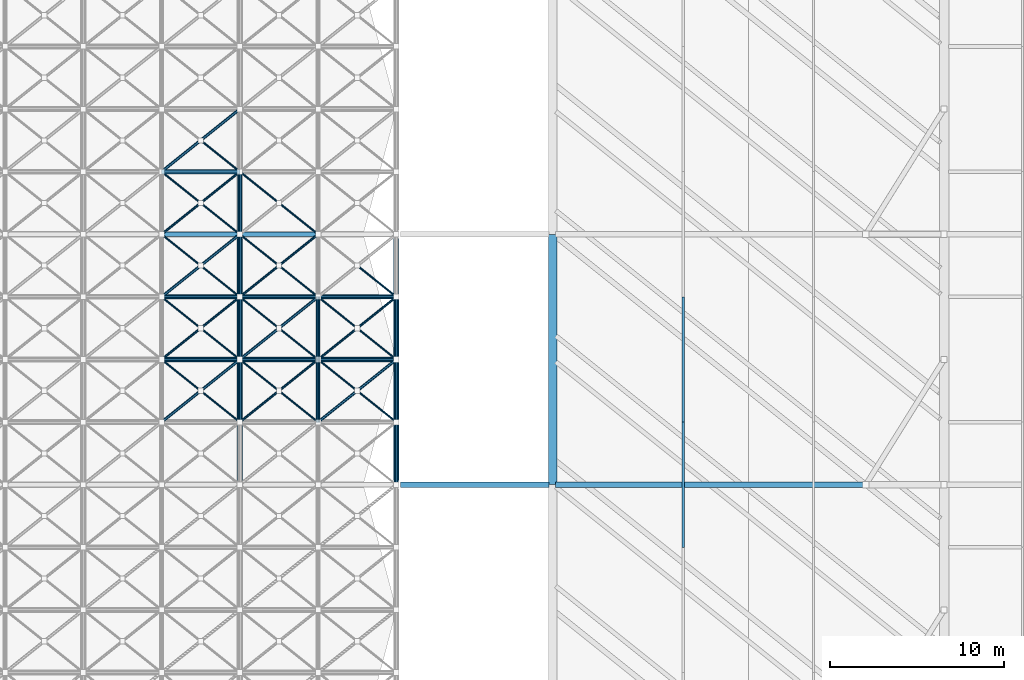
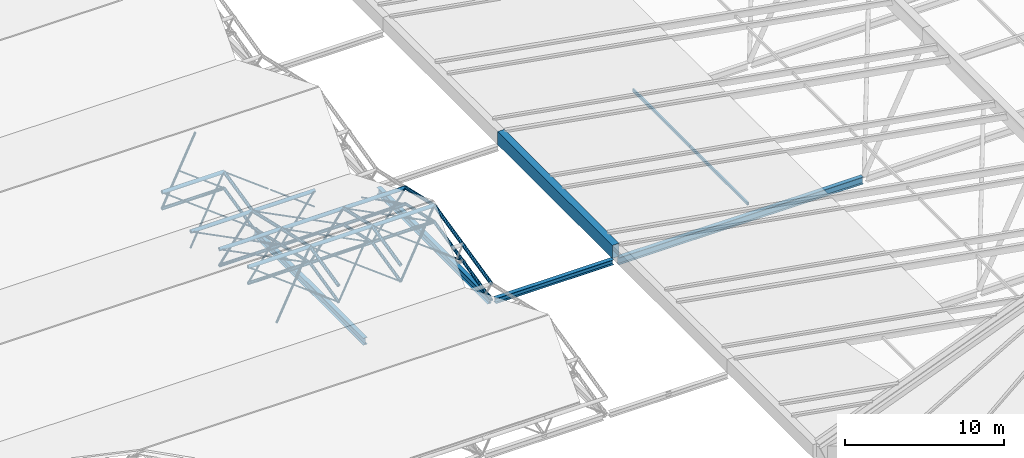
# One storey, part 19 of 110: 68 members, 5 beams.
"""IFC4 building model written with IfcOpenShell, lengths in metres."""

from ifc_helpers import new_model, si_unit, direction, frame, origin, origin_2d, place, context, subcontext, project, spatial, hollow_rectangle, hollow_circle, i_section, extrude, material, material_profile, profile_set, type_object, element, save


model = new_model("IFC4")

# Units and contexts
model_context = context("Model", 3, precision=1e-05, world=origin(), true_north=direction((0.0, 1.0)))
body_context = subcontext(model_context, "Body", "Model", "MODEL_VIEW")
ifc_project = project(units=[si_unit("LENGTHUNIT", "METRE"), si_unit("AREAUNIT", "SQUARE_METRE"), si_unit("VOLUMEUNIT", "CUBIC_METRE"), si_unit("PLANEANGLEUNIT", "RADIAN"), si_unit("MASSUNIT", "GRAM", prefix="KILO")], contexts=[model_context])

# Site, building, storey
site_placement = place(None, origin())
site = spatial("IfcSite", under=ifc_project, at=site_placement, CompositionType="ELEMENT")
building_placement = place(site_placement, origin())
building = spatial("IfcBuilding", under=site, at=building_placement, Name="Tamarisk Ironworks Central Station", CompositionType="ELEMENT")
storey_placement = place(building_placement, frame((0.0, 0.0, 17.39990234375)))
storey = spatial("IfcBuildingStorey", under=building, at=storey_placement, Name="L03", CompositionType="ELEMENT", Elevation=17.39990234375)

# Beams
ifc_material_1 = material(Name="Painted structural steel S355J2", Category="steel")
ifc_material_profile_1 = material_profile(ifc_material_1, hollow_rectangle(XDim=0.5, YDim=1.0, WallThickness=0.02197265625, at=origin_2d()), Name="BOX 500x1000x22")
ifc_profile_set_1 = profile_set([ifc_material_profile_1], Name="Painted structural steel S355J2")
beam_type_1 = type_object("IfcBeamType", Name="BM-EG01", PredefinedType="USERDEFINED", material=ifc_profile_set_1)
beam_1_placement = place(storey_placement, frame((54.0, 36.0, -1.099853515625), z_axis=(0.0, 1.0, 0.0), x_axis=(-1.0, 0.0, 0.0)))
element("IfcBeam", 1, at=beam_1_placement, inside=storey, type_object=beam_type_1, Name="Concourse straight white eave girder W-003", ObjectType="TRANSFER GIRDER", PredefinedType="USERDEFINED", context=body_context, shape_type="SweptSolid", body=[
    extrude(hollow_rectangle(XDim=0.5, YDim=1.0, WallThickness=0.02197265625, at=origin_2d()), origin(), (0.0, 0.0, 1.0), 14.39990234375),
])
ifc_material_2 = material(Name="Structural steel S355J2", Category="steel")
ifc_material_profile_2 = material_profile(ifc_material_2, i_section(OverallWidth=0.300048828125, OverallDepth=0.5400390625, WebThickness=0.012451171875, FlangeThickness=0.02392578125, at=origin_2d()), Name="HEA 550")
ifc_profile_set_2 = profile_set([ifc_material_profile_2], Name="Structural steel S355J2")
beam_type_2 = type_object("IfcBeamType", Name="BM-G04", PredefinedType="BEAM", material=ifc_profile_set_2)
beam_2_placement = place(storey_placement, frame((36.0, 36.241943359375, -1.869873046875), z_axis=(0.0, 1.0, 0.0), x_axis=(-1.0, 0.0, 0.0)))
element("IfcBeam", 2, at=beam_2_placement, inside=storey, type_object=beam_type_2, Name="L03 primary girder Y-0599", PredefinedType="BEAM", context=body_context, shape_type="SweptSolid", body=[
    extrude(i_section(OverallWidth=0.300048828125, OverallDepth=0.5400390625, WebThickness=0.012451171875, FlangeThickness=0.02392578125, at=origin_2d()), origin(), (0.0, 0.0, 1.0), 13.916015625),
])
beam_3_placement = place(storey_placement, frame((45.0, 36.238037109375, -1.869873046875), z_axis=(0.0, 1.0, 0.0), x_axis=(-1.0, 0.0, 0.0)))
element("IfcBeam", 3, at=beam_3_placement, inside=storey, type_object=beam_type_2, Name="L03 primary girder Y-0603", PredefinedType="BEAM", context=body_context, shape_type="SweptSolid", body=[
    extrude(i_section(OverallWidth=0.300048828125, OverallDepth=0.5400390625, WebThickness=0.012451171875, FlangeThickness=0.02392578125, at=origin_2d()), origin(), (0.0, 0.0, 1.0), 13.924072265625),
])
beam_4_placement = place(storey_placement, frame((54.139892578125, 36.0, -1.869873046875), z_axis=(1.0, 0.0, 0.0), x_axis=(0.0, 1.0, 0.0)))
element("IfcBeam", 4, at=beam_4_placement, inside=storey, type_object=beam_type_2, Name="Concourse roof portal tie girder 023", PredefinedType="BEAM", context=body_context, shape_type="SweptSolid", body=[
    extrude(i_section(OverallWidth=0.300048828125, OverallDepth=0.5400390625, WebThickness=0.012451171875, FlangeThickness=0.02392578125, at=origin_2d()), origin(), (0.0, 0.0, 1.0), 17.72021484375),
])
ifc_material_profile_3 = material_profile(ifc_material_2, i_section(OverallWidth=0.300048828125, OverallDepth=0.389892578125, WebThickness=0.010986328125, FlangeThickness=0.01904296875, at=origin_2d()), Name="HEA 400")
ifc_profile_set_3 = profile_set([ifc_material_profile_3], Name="Structural steel S355J2")
beam_type_3 = type_object("IfcBeamType", Name="BM-G07", PredefinedType="BEAM", material=ifc_profile_set_3)
beam_5_placement = place(storey_placement, frame((45.22998046875, 36.0, -1.7998046875), z_axis=(1.0, 0.0, 0.0), x_axis=(0.0, 1.0, 0.0)))
element("IfcBeam", 5, at=beam_5_placement, inside=storey, type_object=beam_type_3, Name="Train shed to concourse eave tie girder 02", PredefinedType="BEAM", context=body_context, shape_type="SweptSolid", body=[
    extrude(i_section(OverallWidth=0.300048828125, OverallDepth=0.389892578125, WebThickness=0.010986328125, FlangeThickness=0.01904296875, at=origin_2d()), origin(), (0.0, 0.0, 1.0), 8.5400390625),
])

# Members
ifc_material_profile_4 = material_profile(ifc_material_1, hollow_rectangle(XDim=0.1201171875, YDim=0.219970703125, WallThickness=0.008056640625, at=origin_2d()), Name="RHS 220x120x8")
ifc_profile_set_4 = profile_set([ifc_material_profile_4], Name="Painted structural steel S355J2")
member_type_1 = type_object("IfcMemberType", Name="MB-PR01", PredefinedType="PURLIN", material=ifc_profile_set_4)
member_1_placement = place(storey_placement, frame((61.5, 32.39990234375, 2.0693359375), z_axis=(0.0, 1.0, 0.0), x_axis=(-1.0, 0.0, 0.0)))
element("IfcMember", 6, at=member_1_placement, inside=storey, type_object=member_type_1, Name="Concourse roof glazing purlin 0032", PredefinedType="PURLIN", context=body_context, shape_type="SweptSolid", body=[
    extrude(hollow_rectangle(XDim=0.1201171875, YDim=0.219970703125, WallThickness=0.008056640625, at=origin_2d()), origin(), (0.0, 0.0, 1.0), 7.2001953125),
])
member_2_placement = place(storey_placement, frame((61.5, 39.60009765625, 2.0693359375), z_axis=(0.0, 1.0, 0.0), x_axis=(-1.0, 0.0, 0.0)))
element("IfcMember", 7, at=member_2_placement, inside=storey, type_object=member_type_1, Name="Concourse roof glazing purlin 0033", PredefinedType="PURLIN", context=body_context, shape_type="SweptSolid", body=[
    extrude(hollow_rectangle(XDim=0.1201171875, YDim=0.219970703125, WallThickness=0.008056640625, at=origin_2d()), origin(), (0.0, 0.0, 1.0), 7.199951171875),
])
ifc_material_3 = material(Name="Structural steel S355J2H", Category="steel")
ifc_material_profile_5 = material_profile(ifc_material_3, hollow_circle(Radius=0.136474609375, WallThickness=0.012451171875, at=origin_2d()), Name="CHS 273x12.5")
ifc_profile_set_5 = profile_set([ifc_material_profile_5], Name="Structural steel S355J2H")
member_type_2 = type_object("IfcMemberType", Name="MB-SFC01", PredefinedType="CHORD", material=ifc_profile_set_5)
for number, where, z_axis, x_axis, name in (
    (8, (31.5, 43.199951171875, 1.18017578125), (1.0, 0.0, 0.0), (0.0, 1.0, 0.0), "Train shed space-frame top chord 0340"),
    (9, (36.0, 43.199951171875, 1.18017578125), (1.0, 0.0, 0.0), (0.0, 1.0, 0.0), "Train shed space-frame top chord 0341"),
    (10, (40.5, 43.199951171875, 1.18017578125), (1.0, 0.0, 0.0), (0.0, 1.0, 0.0), "Train shed space-frame top chord 0342"),
    (11, (31.5, 46.800048828125, 0.35498046875), (1.0, 0.0, 0.0), (0.0, 1.0, 0.0), "Train shed space-frame top chord 0350"),
    (12, (36.0, 46.800048828125, 0.35498046875), (1.0, 0.0, 0.0), (0.0, 1.0, 0.0), "Train shed space-frame top chord 0351"),
    (13, (40.5, 46.800048828125, 0.35498046875), (1.0, 0.0, 0.0), (0.0, 1.0, 0.0), "Train shed space-frame top chord 0352"),
    (14, (31.5, 50.39990234375, -0.469970703125), (1.0, 0.0, 0.0), (0.0, 1.0, 0.0), "Train shed space-frame top chord 0360"),
    (15, (36.0, 50.39990234375, -0.469970703125), (1.0, 0.0, 0.0), (0.0, 1.0, 0.0), "Train shed space-frame top chord 0361"),
    (16, (31.5, 54.0, 0.35498046875), (1.0, 0.0, 0.0), (0.0, 1.0, 0.0), "Train shed space-frame top chord 0568"),
):
    element("IfcMember", number, at=place(storey_placement, frame(where, z_axis=z_axis, x_axis=x_axis)), inside=storey, type_object=member_type_2, Name=name, PredefinedType="CHORD", context=body_context, shape_type="SweptSolid", body=[
        extrude(hollow_circle(Radius=0.136474609375, WallThickness=0.012451171875, at=origin_2d()), origin(), (0.0, 0.0, 1.0), 4.5),
    ])
ifc_material_profile_6 = material_profile(ifc_material_3, hollow_circle(Radius=0.122314453125, WallThickness=0.012451171875, at=origin_2d()), Name="CHS 244.5x12.5")
ifc_profile_set_6 = profile_set([ifc_material_profile_6], Name="Structural steel S355J2H")
member_type_3 = type_object("IfcMemberType", Name="MB-SFC02", PredefinedType="CHORD", material=ifc_profile_set_6)
for number, where, z_axis, x_axis, name in (
    (17, (31.5, 43.199951171875, -0.06982421875), (1.0, 0.0, 0.0), (0.0, 1.0, 0.0), "Train shed space-frame bottom chord 0266"),
    (18, (36.0, 43.199951171875, -0.06982421875), (1.0, 0.0, 0.0), (0.0, 1.0, 0.0), "Train shed space-frame bottom chord 0267"),
    (19, (40.5, 43.199951171875, -0.06982421875), (1.0, 0.0, 0.0), (0.0, 1.0, 0.0), "Train shed space-frame bottom chord 0268"),
    (20, (31.5, 46.800048828125, -0.89501953125), (1.0, 0.0, 0.0), (0.0, 1.0, 0.0), "Train shed space-frame bottom chord 0276"),
    (21, (36.0, 46.800048828125, -0.89501953125), (1.0, 0.0, 0.0), (0.0, 1.0, 0.0), "Train shed space-frame bottom chord 0277"),
    (22, (40.5, 46.800048828125, -0.89501953125), (1.0, 0.0, 0.0), (0.0, 1.0, 0.0), "Train shed space-frame bottom chord 0278"),
):
    element("IfcMember", number, at=place(storey_placement, frame(where, z_axis=z_axis, x_axis=x_axis)), inside=storey, type_object=member_type_3, Name=name, PredefinedType="CHORD", context=body_context, shape_type="SweptSolid", body=[
        extrude(hollow_circle(Radius=0.122314453125, WallThickness=0.012451171875, at=origin_2d()), origin(), (0.0, 0.0, 1.0), 4.5),
    ])
member_3_placement = place(storey_placement, frame((36.0, 39.60009765625, 0.35498046875), z_axis=(0.0, 0.974718823144, 0.223435037113), x_axis=(-1.0, 0.0, 0.0)))
element("IfcMember", 23, at=member_3_placement, inside=storey, type_object=member_type_3, Name="Train shed space-frame top transverse chord 0396", PredefinedType="CHORD", context=body_context, shape_type="SweptSolid", body=[
    extrude(hollow_circle(Radius=0.122314453125, WallThickness=0.012451171875, at=origin_2d()), origin(), (0.0, 0.0, 1.0), 3.693115234375),
])
member_4_placement = place(storey_placement, frame((36.0, 43.199951171875, 1.18017578125), z_axis=(0.0, 0.974722123001, -0.223420641241), x_axis=(-1.0, 0.0, 0.0)))
element("IfcMember", 24, at=member_4_placement, inside=storey, type_object=member_type_3, Name="Train shed space-frame top transverse chord 0397", PredefinedType="CHORD", context=body_context, shape_type="SweptSolid", body=[
    extrude(hollow_circle(Radius=0.122314453125, WallThickness=0.012451171875, at=origin_2d()), origin(), (0.0, 0.0, 1.0), 3.693359375),
])
for number, where, z_axis, x_axis, name in (
    (25, (36.0, 46.800048828125, 0.35498046875), (0.0, 0.974733218107, -0.223372230857), (-1.0, 0.0, 0.0), "Train shed space-frame top transverse chord 0398"),
    (26, (40.5, 39.60009765625, 0.35498046875), (0.0, 0.974718823144, 0.223435037113), (-1.0, 0.0, 0.0), "Train shed space-frame top transverse chord 0400"),
):
    element("IfcMember", number, at=place(storey_placement, frame(where, z_axis=z_axis, x_axis=x_axis)), inside=storey, type_object=member_type_3, Name=name, PredefinedType="CHORD", context=body_context, shape_type="SweptSolid", body=[
        extrude(hollow_circle(Radius=0.122314453125, WallThickness=0.012451171875, at=origin_2d()), origin(), (0.0, 0.0, 1.0), 3.693115234375),
    ])
for number, where, z_axis, x_axis, name in (
    (27, (40.5, 43.199951171875, 1.18017578125), (0.0, 0.974722123001, -0.223420641241), (-1.0, 0.0, 0.0), "Train shed space-frame top transverse chord 0401"),
    (28, (45.0, 36.0, -0.469970703125), (0.0, 0.974736516158, 0.223357838607), (-1.0, 0.0, 0.0), "Train shed space-frame top transverse chord 0403"),
):
    element("IfcMember", number, at=place(storey_placement, frame(where, z_axis=z_axis, x_axis=x_axis)), inside=storey, type_object=member_type_3, Name=name, PredefinedType="CHORD", context=body_context, shape_type="SweptSolid", body=[
        extrude(hollow_circle(Radius=0.122314453125, WallThickness=0.012451171875, at=origin_2d()), origin(), (0.0, 0.0, 1.0), 3.693359375),
    ])
member_5_placement = place(storey_placement, frame((45.0, 39.60009765625, 0.35498046875), z_axis=(0.0, 0.974718823144, 0.223435037113), x_axis=(-1.0, 0.0, 0.0)))
element("IfcMember", 29, at=member_5_placement, inside=storey, type_object=member_type_3, Name="Train shed space-frame top transverse chord 0404", PredefinedType="CHORD", context=body_context, shape_type="SweptSolid", body=[
    extrude(hollow_circle(Radius=0.122314453125, WallThickness=0.012451171875, at=origin_2d()), origin(), (0.0, 0.0, 1.0), 3.693115234375),
])
member_6_placement = place(storey_placement, frame((45.0, 43.199951171875, 1.18017578125), z_axis=(0.0, 0.974722123001, -0.223420641241), x_axis=(-1.0, 0.0, 0.0)))
element("IfcMember", 30, at=member_6_placement, inside=storey, type_object=member_type_3, Name="Train shed space-frame top transverse chord 0405", PredefinedType="CHORD", context=body_context, shape_type="SweptSolid", body=[
    extrude(hollow_circle(Radius=0.122314453125, WallThickness=0.012451171875, at=origin_2d()), origin(), (0.0, 0.0, 1.0), 3.693359375),
])
member_7_placement = place(storey_placement, frame((31.5, 54.0, -0.89501953125), z_axis=(1.0, 0.0, 0.0), x_axis=(0.0, 1.0, 0.0)))
element("IfcMember", 31, at=member_7_placement, inside=storey, type_object=member_type_3, Name="Train shed space-frame bottom chord 0494", PredefinedType="CHORD", context=body_context, shape_type="SweptSolid", body=[
    extrude(hollow_circle(Radius=0.122314453125, WallThickness=0.012451171875, at=origin_2d()), origin(), (0.0, 0.0, 1.0), 4.5),
])
member_8_placement = place(storey_placement, frame((36.0, 50.39990234375, -0.469970703125), z_axis=(0.0, 0.974736516158, 0.223357838607), x_axis=(-1.0, 0.0, 0.0)))
element("IfcMember", 32, at=member_8_placement, inside=storey, type_object=member_type_3, Name="Train shed space-frame top transverse chord 0633", PredefinedType="CHORD", context=body_context, shape_type="SweptSolid", body=[
    extrude(hollow_circle(Radius=0.122314453125, WallThickness=0.012451171875, at=origin_2d()), origin(), (0.0, 0.0, 1.0), 3.693359375),
])
ifc_material_profile_7 = material_profile(ifc_material_3, hollow_circle(Radius=0.109619140625, WallThickness=0.010009765625, at=origin_2d()), Name="CHS 219.1x10")
ifc_profile_set_7 = profile_set([ifc_material_profile_7], Name="Structural steel S355J2H")
member_type_4 = type_object("IfcMemberType", Name="MB-SFC03", PredefinedType="CHORD", material=ifc_profile_set_7)
member_9_placement = place(storey_placement, frame((36.0, 39.60009765625, -0.89501953125), z_axis=(0.0, 0.974718823144, 0.223435037113), x_axis=(-1.0, 0.0, 0.0)))
element("IfcMember", 33, at=member_9_placement, inside=storey, type_object=member_type_4, Name="Train shed space-frame transverse chord 0312", PredefinedType="CHORD", context=body_context, shape_type="SweptSolid", body=[
    extrude(hollow_circle(Radius=0.109619140625, WallThickness=0.010009765625, at=origin_2d()), origin(), (0.0, 0.0, 1.0), 3.693115234375),
])
member_10_placement = place(storey_placement, frame((36.0, 43.199951171875, -0.06982421875), z_axis=(0.0, 0.974722123001, -0.223420641241), x_axis=(-1.0, 0.0, 0.0)))
element("IfcMember", 34, at=member_10_placement, inside=storey, type_object=member_type_4, Name="Train shed space-frame transverse chord 0313", PredefinedType="CHORD", context=body_context, shape_type="SweptSolid", body=[
    extrude(hollow_circle(Radius=0.109619140625, WallThickness=0.010009765625, at=origin_2d()), origin(), (0.0, 0.0, 1.0), 3.693359375),
])
for number, where, z_axis, x_axis, name in (
    (35, (36.0, 46.800048828125, -0.89501953125), (0.0, 0.974733218107, -0.223372230857), (-1.0, 0.0, 0.0), "Train shed space-frame transverse chord 0314"),
    (36, (40.5, 39.60009765625, -0.89501953125), (0.0, 0.974718823144, 0.223435037113), (-1.0, 0.0, 0.0), "Train shed space-frame transverse chord 0316"),
):
    element("IfcMember", number, at=place(storey_placement, frame(where, z_axis=z_axis, x_axis=x_axis)), inside=storey, type_object=member_type_4, Name=name, PredefinedType="CHORD", context=body_context, shape_type="SweptSolid", body=[
        extrude(hollow_circle(Radius=0.109619140625, WallThickness=0.010009765625, at=origin_2d()), origin(), (0.0, 0.0, 1.0), 3.693115234375),
    ])
for number, where, z_axis, x_axis, name in (
    (37, (40.5, 43.199951171875, -0.06982421875), (0.0, 0.974722123001, -0.223420641241), (-1.0, 0.0, 0.0), "Train shed space-frame transverse chord 0317"),
    (38, (45.0, 36.0, -1.719970703125), (0.0, 0.974736516158, 0.223357838607), (-1.0, 0.0, 0.0), "Train shed space-frame transverse chord 0319"),
):
    element("IfcMember", number, at=place(storey_placement, frame(where, z_axis=z_axis, x_axis=x_axis)), inside=storey, type_object=member_type_4, Name=name, PredefinedType="CHORD", context=body_context, shape_type="SweptSolid", body=[
        extrude(hollow_circle(Radius=0.109619140625, WallThickness=0.010009765625, at=origin_2d()), origin(), (0.0, 0.0, 1.0), 3.693359375),
    ])
member_11_placement = place(storey_placement, frame((45.0, 39.60009765625, -0.89501953125), z_axis=(0.0, 0.974718823144, 0.223435037113), x_axis=(-1.0, 0.0, 0.0)))
element("IfcMember", 39, at=member_11_placement, inside=storey, type_object=member_type_4, Name="Train shed space-frame transverse chord 0320", PredefinedType="CHORD", context=body_context, shape_type="SweptSolid", body=[
    extrude(hollow_circle(Radius=0.109619140625, WallThickness=0.010009765625, at=origin_2d()), origin(), (0.0, 0.0, 1.0), 3.693115234375),
])
for number, where, z_axis, x_axis, name in (
    (40, (45.0, 43.199951171875, -0.06982421875), (0.0, 0.974722123001, -0.223420641241), (-1.0, 0.0, 0.0), "Train shed space-frame transverse chord 0321"),
    (41, (36.0, 50.39990234375, -1.719970703125), (0.0, 0.974736516158, 0.223357838607), (-1.0, 0.0, 0.0), "Train shed space-frame transverse chord 0549"),
):
    element("IfcMember", number, at=place(storey_placement, frame(where, z_axis=z_axis, x_axis=x_axis)), inside=storey, type_object=member_type_4, Name=name, PredefinedType="CHORD", context=body_context, shape_type="SweptSolid", body=[
        extrude(hollow_circle(Radius=0.109619140625, WallThickness=0.010009765625, at=origin_2d()), origin(), (0.0, 0.0, 1.0), 3.693359375),
    ])
ifc_material_profile_8 = material_profile(ifc_material_3, hollow_circle(Radius=0.084228515625, WallThickness=0.010009765625, at=origin_2d()), Name="CHS 168.3x10")
ifc_profile_set_8 = profile_set([ifc_material_profile_8], Name="Structural steel S355J2H")
member_type_5 = type_object("IfcMemberType", Name="MB-SFD01", PredefinedType="BRACE", material=ifc_profile_set_8)
member_12_placement = place(storey_placement, frame((31.5, 39.60009765625, -0.89501953125), z_axis=(0.734696267565, 0.587733098158, 0.338808500125), x_axis=(-0.624679547852, 0.780881208953, 0.0)))
element("IfcMember", 42, at=member_12_placement, inside=storey, type_object=member_type_5, Name="Train shed space-frame diagonal 0465", PredefinedType="BRACE", context=body_context, shape_type="SweptSolid", body=[
    extrude(hollow_circle(Radius=0.084228515625, WallThickness=0.010009765625, at=origin_2d()), origin(), (0.0, 0.0, 1.0), 6.125),
])
member_13_placement = place(storey_placement, frame((31.5, 46.800048828125, -0.89501953125), z_axis=(0.778765724077, 0.622987228815, 0.073558546312), x_axis=(-0.624679547852, 0.780881208953, 0.0)))
element("IfcMember", 43, at=member_13_placement, inside=storey, type_object=member_type_5, Name="Train shed space-frame diagonal 0469", PredefinedType="BRACE", context=body_context, shape_type="SweptSolid", body=[
    extrude(hollow_circle(Radius=0.084228515625, WallThickness=0.010009765625, at=origin_2d()), origin(), (0.0, 0.0, 1.0), 5.7783203125),
])
member_14_placement = place(storey_placement, frame((36.0, 43.199951171875, -0.06982421875), z_axis=(0.778747645228, 0.623015016088, 0.073514588905), x_axis=(-0.624705380279, 0.780860543151, 0.0)))
element("IfcMember", 44, at=member_14_placement, inside=storey, type_object=member_type_5, Name="Train shed space-frame diagonal 0475", PredefinedType="BRACE", context=body_context, shape_type="SweptSolid", body=[
    extrude(hollow_circle(Radius=0.084228515625, WallThickness=0.010009765625, at=origin_2d()), origin(), (0.0, 0.0, 1.0), 5.778564453125),
])
member_15_placement = place(storey_placement, frame((40.5, 39.60009765625, -0.89501953125), z_axis=(0.734696267565, 0.587733098158, 0.338808500125), x_axis=(-0.624679547852, 0.780881208953, 0.0)))
element("IfcMember", 45, at=member_15_placement, inside=storey, type_object=member_type_5, Name="Train shed space-frame diagonal 0481", PredefinedType="BRACE", context=body_context, shape_type="SweptSolid", body=[
    extrude(hollow_circle(Radius=0.084228515625, WallThickness=0.010009765625, at=origin_2d()), origin(), (0.0, 0.0, 1.0), 6.125),
])
member_16_placement = place(storey_placement, frame((31.5, 54.0, -0.89501953125), z_axis=(0.734679055902, 0.587759188278, 0.338800562889), x_axis=(-0.624705380279, 0.780860543151, 0.0)))
element("IfcMember", 46, at=member_16_placement, inside=storey, type_object=member_type_5, Name="Train shed space-frame diagonal 0703", PredefinedType="BRACE", context=body_context, shape_type="SweptSolid", body=[
    extrude(hollow_circle(Radius=0.084228515625, WallThickness=0.010009765625, at=origin_2d()), origin(), (0.0, 0.0, 1.0), 6.125244140625),
])
ifc_material_profile_9 = material_profile(ifc_material_3, hollow_circle(Radius=0.06982421875, WallThickness=0.008056640625, at=origin_2d()), Name="CHS 139.7x8")
ifc_profile_set_9 = profile_set([ifc_material_profile_9], Name="Structural steel S355J2H")
member_type_6 = type_object("IfcMemberType", Name="MB-SFD02", PredefinedType="BRACE", material=ifc_profile_set_9)
member_17_placement = place(storey_placement, frame((31.5, 43.199951171875, -0.06982421875), z_axis=(0.778747645228, 0.623015016088, 0.073514588905), x_axis=(-0.624705380279, 0.780860543151, 0.0)))
element("IfcMember", 47, at=member_17_placement, inside=storey, type_object=member_type_6, Name="Train shed space-frame diagonal 0467", PredefinedType="BRACE", context=body_context, shape_type="SweptSolid", body=[
    extrude(hollow_circle(Radius=0.06982421875, WallThickness=0.008056640625, at=origin_2d()), origin(), (0.0, 0.0, 1.0), 5.778564453125),
])
member_18_placement = place(storey_placement, frame((36.0, 39.60009765625, -0.89501953125), z_axis=(0.734696267565, 0.587733098158, 0.338808500125), x_axis=(-0.624679547852, 0.780881208953, 0.0)))
element("IfcMember", 48, at=member_18_placement, inside=storey, type_object=member_type_6, Name="Train shed space-frame diagonal 0473", PredefinedType="BRACE", context=body_context, shape_type="SweptSolid", body=[
    extrude(hollow_circle(Radius=0.06982421875, WallThickness=0.008056640625, at=origin_2d()), origin(), (0.0, 0.0, 1.0), 6.125),
])
member_19_placement = place(storey_placement, frame((36.0, 46.800048828125, -0.89501953125), z_axis=(0.778765724077, 0.622987228815, 0.073558546312), x_axis=(-0.624679547852, 0.780881208953, 0.0)))
element("IfcMember", 49, at=member_19_placement, inside=storey, type_object=member_type_6, Name="Train shed space-frame diagonal 0477", PredefinedType="BRACE", context=body_context, shape_type="SweptSolid", body=[
    extrude(hollow_circle(Radius=0.06982421875, WallThickness=0.008056640625, at=origin_2d()), origin(), (0.0, 0.0, 1.0), 5.7783203125),
])
member_20_placement = place(storey_placement, frame((40.5, 43.199951171875, -0.06982421875), z_axis=(0.778747645228, 0.623015016088, 0.073514588905), x_axis=(-0.624705380279, 0.780860543151, 0.0)))
element("IfcMember", 50, at=member_20_placement, inside=storey, type_object=member_type_6, Name="Train shed space-frame diagonal 0483", PredefinedType="BRACE", context=body_context, shape_type="SweptSolid", body=[
    extrude(hollow_circle(Radius=0.06982421875, WallThickness=0.008056640625, at=origin_2d()), origin(), (0.0, 0.0, 1.0), 5.778564453125),
])
member_21_placement = place(storey_placement, frame((31.5, 50.39990234375, -1.719970703125), z_axis=(0.734688976783, 0.587767125198, 0.33876527852), x_axis=(-0.624705380279, 0.780860543151, 0.0)))
element("IfcMember", 51, at=member_21_placement, inside=storey, type_object=member_type_6, Name="Train shed space-frame diagonal 0701", PredefinedType="BRACE", context=body_context, shape_type="SweptSolid", body=[
    extrude(hollow_circle(Radius=0.06982421875, WallThickness=0.008056640625, at=origin_2d()), origin(), (0.0, 0.0, 1.0), 6.125),
])
ifc_material_profile_10 = material_profile(ifc_material_3, hollow_circle(Radius=0.05712890625, WallThickness=0.00634765625, at=origin_2d()), Name="CHS 114.3x6.3")
ifc_profile_set_10 = profile_set([ifc_material_profile_10], Name="Structural steel S355J2H")
member_type_7 = type_object("IfcMemberType", Name="MB-SFD03", PredefinedType="BRACE", material=ifc_profile_set_10)
for number, where, z_axis, x_axis, name in (
    (52, (36.0, 39.60009765625, -0.89501953125), (-0.734712152648, 0.587704782363, 0.33882317149), (-0.624652959802, -0.780902477785, 0.0), "Train shed space-frame split counter-diagonal lower 0466"),
    (53, (33.709716796875, 41.432373046875, 0.1611328125), (-0.734712152648, 0.587704782363, 0.33882317149), (-0.624652959802, -0.780902477785, 0.0), "Train shed space-frame split counter-diagonal upper 0466"),
):
    element("IfcMember", number, at=place(storey_placement, frame(where, z_axis=z_axis, x_axis=x_axis)), inside=storey, type_object=member_type_7, Name=name, PredefinedType="BRACE", context=body_context, shape_type="SweptSolid", body=[
        extrude(hollow_circle(Radius=0.05712890625, WallThickness=0.00634765625, at=origin_2d()), origin(), (0.0, 0.0, 1.0), 3.007568359375),
    ])
for number, where, z_axis, x_axis, name in (
    (54, (36.0, 43.199951171875, -0.06982421875), (-0.778744920641, 0.623013163477, 0.07355913751), (-0.624705580279, -0.780860383147, 0.0), "Train shed space-frame split counter-diagonal lower 0468"),
    (55, (33.707275390625, 45.0341796875, 0.146484375), (-0.778744920641, 0.623013163477, 0.07355913751), (-0.624705580279, -0.780860383147, 0.0), "Train shed space-frame split counter-diagonal upper 0468"),
):
    element("IfcMember", number, at=place(storey_placement, frame(where, z_axis=z_axis, x_axis=x_axis)), inside=storey, type_object=member_type_7, Name=name, PredefinedType="BRACE", context=body_context, shape_type="SweptSolid", body=[
        extrude(hollow_circle(Radius=0.05712890625, WallThickness=0.00634765625, at=origin_2d()), origin(), (0.0, 0.0, 1.0), 2.83447265625),
    ])
for number, where, z_axis, x_axis, name in (
    (56, (36.0, 46.800048828125, -0.89501953125), (-0.778786711003, 0.622960457248, 0.073563084968), (-0.624652913247, -0.780902515025, 0.0), "Train shed space-frame split counter-diagonal lower 0470"),
    (57, (33.707275390625, 48.63427734375, -0.678466796875), (-0.778786711003, 0.622960457248, 0.073563084968), (-0.624652913247, -0.780902515025, 0.0), "Train shed space-frame split counter-diagonal upper 0470"),
):
    element("IfcMember", number, at=place(storey_placement, frame(where, z_axis=z_axis, x_axis=x_axis)), inside=storey, type_object=member_type_7, Name=name, PredefinedType="BRACE", context=body_context, shape_type="SweptSolid", body=[
        extrude(hollow_circle(Radius=0.05712890625, WallThickness=0.00634765625, at=origin_2d()), origin(), (0.0, 0.0, 1.0), 2.834228515625),
    ])
for number, where, z_axis, x_axis, name in (
    (58, (40.5, 39.60009765625, -0.89501953125), (-0.734712152648, 0.587704782363, 0.33882317149), (-0.624652959802, -0.780902477785, 0.0), "Train shed space-frame split counter-diagonal lower 0474"),
    (59, (38.209716796875, 41.432373046875, 0.1611328125), (-0.734712152648, 0.587704782363, 0.33882317149), (-0.624652959802, -0.780902477785, 0.0), "Train shed space-frame split counter-diagonal upper 0474"),
):
    element("IfcMember", number, at=place(storey_placement, frame(where, z_axis=z_axis, x_axis=x_axis)), inside=storey, type_object=member_type_7, Name=name, PredefinedType="BRACE", context=body_context, shape_type="SweptSolid", body=[
        extrude(hollow_circle(Radius=0.05712890625, WallThickness=0.00634765625, at=origin_2d()), origin(), (0.0, 0.0, 1.0), 3.007568359375),
    ])
for number, where, z_axis, x_axis, name in (
    (60, (40.5, 43.199951171875, -0.06982421875), (-0.778744920641, 0.623013163477, 0.07355913751), (-0.624705580279, -0.780860383147, 0.0), "Train shed space-frame split counter-diagonal lower 0476"),
    (61, (38.207275390625, 45.0341796875, 0.146484375), (-0.778744920641, 0.623013163477, 0.07355913751), (-0.624705580279, -0.780860383147, 0.0), "Train shed space-frame split counter-diagonal upper 0476"),
):
    element("IfcMember", number, at=place(storey_placement, frame(where, z_axis=z_axis, x_axis=x_axis)), inside=storey, type_object=member_type_7, Name=name, PredefinedType="BRACE", context=body_context, shape_type="SweptSolid", body=[
        extrude(hollow_circle(Radius=0.05712890625, WallThickness=0.00634765625, at=origin_2d()), origin(), (0.0, 0.0, 1.0), 2.83447265625),
    ])
for number, where, z_axis, x_axis, name in (
    (62, (40.5, 46.800048828125, -0.89501953125), (-0.778786711003, 0.622960457248, 0.073563084968), (-0.624652913247, -0.780902515025, 0.0), "Train shed space-frame split counter-diagonal lower 0478"),
    (63, (38.207275390625, 48.63427734375, -0.678466796875), (-0.778786711003, 0.622960457248, 0.073563084968), (-0.624652913247, -0.780902515025, 0.0), "Train shed space-frame split counter-diagonal upper 0478"),
):
    element("IfcMember", number, at=place(storey_placement, frame(where, z_axis=z_axis, x_axis=x_axis)), inside=storey, type_object=member_type_7, Name=name, PredefinedType="BRACE", context=body_context, shape_type="SweptSolid", body=[
        extrude(hollow_circle(Radius=0.05712890625, WallThickness=0.00634765625, at=origin_2d()), origin(), (0.0, 0.0, 1.0), 2.834228515625),
    ])
for number, where, z_axis, x_axis, name in (
    (64, (45.0, 39.60009765625, -0.89501953125), (-0.734712152648, 0.587704782363, 0.33882317149), (-0.624652959802, -0.780902477785, 0.0), "Train shed space-frame split counter-diagonal lower 0482"),
    (65, (42.709716796875, 41.432373046875, 0.1611328125), (-0.734712152648, 0.587704782363, 0.33882317149), (-0.624652959802, -0.780902477785, 0.0), "Train shed space-frame split counter-diagonal upper 0482"),
):
    element("IfcMember", number, at=place(storey_placement, frame(where, z_axis=z_axis, x_axis=x_axis)), inside=storey, type_object=member_type_7, Name=name, PredefinedType="BRACE", context=body_context, shape_type="SweptSolid", body=[
        extrude(hollow_circle(Radius=0.05712890625, WallThickness=0.00634765625, at=origin_2d()), origin(), (0.0, 0.0, 1.0), 3.007568359375),
    ])
for number, where, z_axis, x_axis, name in (
    (66, (45.0, 43.199951171875, -0.06982421875), (-0.778744920641, 0.623013163477, 0.07355913751), (-0.624705580279, -0.780860383147, 0.0), "Train shed space-frame split counter-diagonal lower 0484"),
    (67, (42.707275390625, 45.0341796875, 0.146484375), (-0.778744920641, 0.623013163477, 0.07355913751), (-0.624705580279, -0.780860383147, 0.0), "Train shed space-frame split counter-diagonal upper 0484"),
):
    element("IfcMember", number, at=place(storey_placement, frame(where, z_axis=z_axis, x_axis=x_axis)), inside=storey, type_object=member_type_7, Name=name, PredefinedType="BRACE", context=body_context, shape_type="SweptSolid", body=[
        extrude(hollow_circle(Radius=0.05712890625, WallThickness=0.00634765625, at=origin_2d()), origin(), (0.0, 0.0, 1.0), 2.83447265625),
    ])
member_22_placement = place(storey_placement, frame((45.0, 46.800048828125, -0.89501953125), z_axis=(-0.778786711003, 0.622960457248, 0.073563084968), x_axis=(-0.624652913247, -0.780902515025, 0.0)))
element("IfcMember", 68, at=member_22_placement, inside=storey, type_object=member_type_7, Name="Train shed space-frame split counter-diagonal lower 0486", PredefinedType="BRACE", context=body_context, shape_type="SweptSolid", body=[
    extrude(hollow_circle(Radius=0.05712890625, WallThickness=0.00634765625, at=origin_2d()), origin(), (0.0, 0.0, 1.0), 2.834228515625),
])
member_23_placement = place(storey_placement, frame((36.0, 50.39990234375, -1.719970703125), z_axis=(-0.734677102003, 0.587757915766, 0.338807007376), x_axis=(-0.624705568642, -0.780860392457, 0.0)))
element("IfcMember", 69, at=member_23_placement, inside=storey, type_object=member_type_7, Name="Train shed space-frame split counter-diagonal lower 0702", PredefinedType="BRACE", context=body_context, shape_type="SweptSolid", body=[
    extrude(hollow_circle(Radius=0.05712890625, WallThickness=0.00634765625, at=origin_2d()), origin(), (0.0, 0.0, 1.0), 3.0078125),
])
for number, where, z_axis, x_axis, name in (
    (70, (33.709716796875, 52.232421875, -0.663818359375), (-0.734732358486, 0.587720945248, 0.338751312779), (-0.624652959802, -0.780902477785, 0.0), "Train shed space-frame split counter-diagonal upper 0702"),
    (71, (36.0, 54.0, -0.89501953125), (-0.734712152648, 0.587704782363, 0.33882317149), (-0.624652959802, -0.780902477785, 0.0), "Train shed space-frame split counter-diagonal lower 0704"),
):
    element("IfcMember", number, at=place(storey_placement, frame(where, z_axis=z_axis, x_axis=x_axis)), inside=storey, type_object=member_type_7, Name=name, PredefinedType="BRACE", context=body_context, shape_type="SweptSolid", body=[
        extrude(hollow_circle(Radius=0.05712890625, WallThickness=0.00634765625, at=origin_2d()), origin(), (0.0, 0.0, 1.0), 3.007568359375),
    ])
member_24_placement = place(storey_placement, frame((40.5, 50.39990234375, -1.719970703125), z_axis=(-0.734677102003, 0.587757915766, 0.338807007376), x_axis=(-0.624705568642, -0.780860392457, 0.0)))
element("IfcMember", 72, at=member_24_placement, inside=storey, type_object=member_type_7, Name="Train shed space-frame split counter-diagonal lower 0710", PredefinedType="BRACE", context=body_context, shape_type="SweptSolid", body=[
    extrude(hollow_circle(Radius=0.05712890625, WallThickness=0.00634765625, at=origin_2d()), origin(), (0.0, 0.0, 1.0), 3.0078125),
])
member_25_placement = place(storey_placement, frame((38.209716796875, 52.232421875, -0.663818359375), z_axis=(-0.734732358486, 0.587720945248, 0.338751312779), x_axis=(-0.624652959802, -0.780902477785, 0.0)))
element("IfcMember", 73, at=member_25_placement, inside=storey, type_object=member_type_7, Name="Train shed space-frame split counter-diagonal upper 0710", PredefinedType="BRACE", context=body_context, shape_type="SweptSolid", body=[
    extrude(hollow_circle(Radius=0.05712890625, WallThickness=0.00634765625, at=origin_2d()), origin(), (0.0, 0.0, 1.0), 3.007568359375),
])

save(model, "model.ifc")
